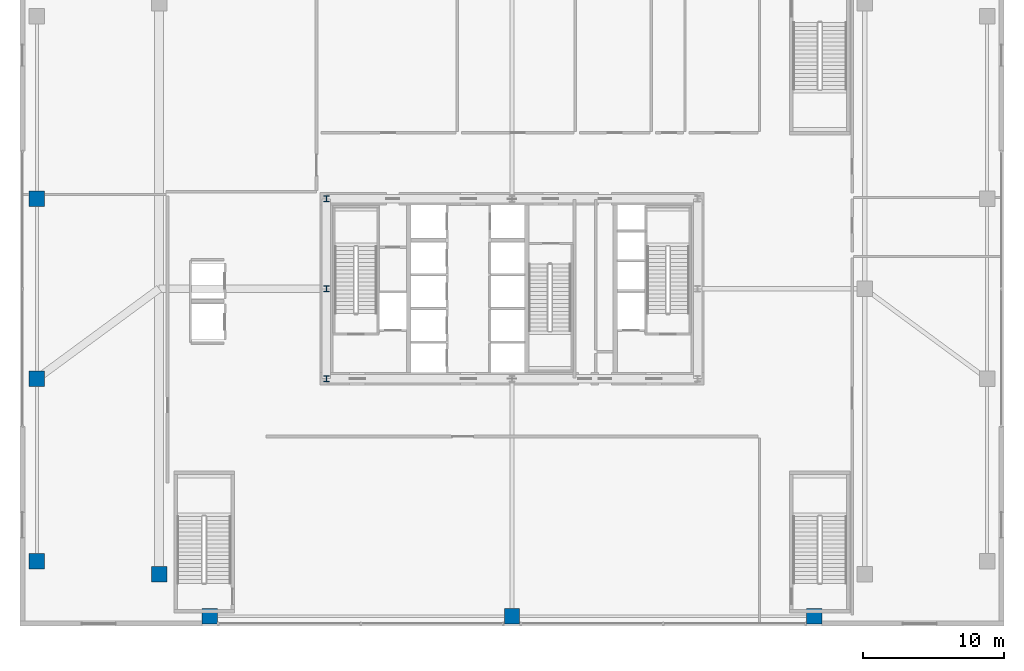
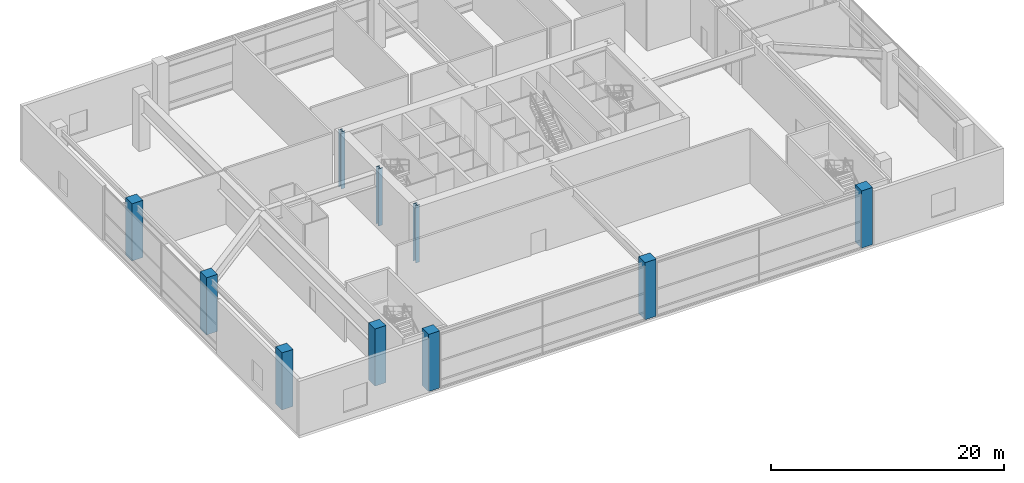
# One storey, part 1 of 39: 10 columns.
"""IFC4 building model written with IfcOpenShell, lengths in metres."""

from ifc_helpers import new_model, si_unit, direction, frame, origin, origin_2d, place, context, subcontext, project, spatial, rectangle, i_section, extrude, source, transform, mapped, material, material_profile, profile_set, type_object, element, save


model = new_model("IFC4")

# Units and contexts
model_context = context("Model", 3, precision=1e-05, world=origin(), true_north=direction((0.0, 1.0)))
body_context = subcontext(model_context, "Body", "Model", "MODEL_VIEW")
ifc_project = project(units=[si_unit("LENGTHUNIT", "METRE"), si_unit("AREAUNIT", "SQUARE_METRE"), si_unit("VOLUMEUNIT", "CUBIC_METRE"), si_unit("PLANEANGLEUNIT", "RADIAN"), si_unit("MASSUNIT", "GRAM", prefix="KILO"), si_unit("THERMODYNAMICTEMPERATUREUNIT", "KELVIN"), si_unit("POWERUNIT", "WATT")], contexts=[model_context])

# Site, building, storey
site_placement = place(None, origin())
site = spatial("IfcSite", under=ifc_project, at=site_placement, CompositionType="ELEMENT")
building_placement = place(site_placement, origin())
building = spatial("IfcBuilding", under=site, at=building_placement, Name="Yuzanri Waterfront Tower", CompositionType="ELEMENT")
storey_placement = place(building_placement, frame((0.0, 0.0, 19.800048828125)))
storey = spatial("IfcBuildingStorey", under=building, at=storey_placement, Name="L05", CompositionType="ELEMENT", Elevation=19.800048828125)

# Columns
ifc_material_1 = material(Name="Steel Q355B", Category="steel")
ifc_material_profile_1 = material_profile(ifc_material_1, i_section(OverallWidth=0.406982421875, OverallDepth=0.427978515625, WebThickness=0.02001953125, FlangeThickness=0.034912109375, at=origin_2d()), Name="HW 428x407x20x35")
ifc_profile_set_1 = profile_set([ifc_material_profile_1], Name="Steel Q355B")
column_type_1 = type_object("IfcColumnType", Name="Core Post Q355B HW 428x407x20x35", PredefinedType="COLUMN", material=ifc_profile_set_1)
shared_shape_1 = source(origin(), body_context, "Body", "SweptSolid", [
    extrude(i_section(OverallWidth=0.406982421875, OverallDepth=0.427978515625, WebThickness=0.02001953125, FlangeThickness=0.034912109375, at=origin_2d()), origin(), (0.0, 0.0, 1.0), 6.0),
])
for number, where, z_axis, x_axis, name in (
    (1, (23.800048828125, 19.39990234375, 0.0), (0.0, 0.0, 1.0), (1.0, 0.0, 0.0), "L05 Core Boundary Column CP1"),
    (2, (23.800048828125, 25.800048828125, 0.0), (0.0, 0.0, 1.0), (1.0, 0.0, 0.0), "L05 Core Boundary Column CP4"),
    (3, (23.800048828125, 32.199951171875, 0.0), (0.0, 0.0, 1.0), (1.0, 0.0, 0.0), "L05 Core Boundary Column CP6"),
):
    element("IfcColumn", number, at=place(storey_placement, frame(where, z_axis=z_axis, x_axis=x_axis)), inside=storey, type_object=column_type_1, Name=name, PredefinedType="COLUMN", context=body_context, shape_type="MappedRepresentation", body=[
        mapped(shared_shape_1, transform((0.0, 0.0, 0.0), scale=1.0)),
    ])
ifc_material_2 = material(Name="Concrete C50", Category="concrete")
ifc_material_profile_2 = material_profile(ifc_material_2, rectangle(XDim=1.10009765625, YDim=1.10009765625, at=origin_2d()), Name="RC 1100x1100")
ifc_profile_set_2 = profile_set([ifc_material_profile_2], Name="Concrete C50")
column_type_2 = type_object("IfcColumnType", Name="Podium RC Column C50 1100x1100", PredefinedType="COLUMN", material=ifc_profile_set_2)
shared_shape_2 = source(origin(), body_context, "Body", "SweptSolid", [
    extrude(rectangle(XDim=1.10009765625, YDim=1.10009765625, at=origin_2d()), origin(), (0.0, 0.0, 1.0), 6.0),
])
for number, where, z_axis, x_axis, name in (
    (4, (3.199951171875, 6.39990234375, 0.0), (0.0, 0.0, 1.0), (1.0, 0.0, 0.0), "L05 Podium Column PW1"),
    (5, (3.199951171875, 19.39990234375, 0.0), (0.0, 0.0, 1.0), (1.0, 0.0, 0.0), "L05 Podium Column PW2"),
    (6, (3.199951171875, 32.199951171875, 0.0), (0.0, 0.0, 1.0), (1.0, 0.0, 0.0), "L05 Podium Column PW3"),
    (7, (11.89990234375, 5.5, 0.0), (0.0, 0.0, 1.0), (1.0, 0.0, 0.0), "L05 Podium Column PTW1"),
    (8, (15.5, 2.5, 0.0), (0.0, 0.0, 1.0), (1.0, 0.0, 0.0), "L05 Podium Column PTS1"),
    (9, (37.0, 2.5, 0.0), (0.0, 0.0, 1.0), (1.0, 0.0, 0.0), "L05 Podium Column PTS2"),
    (10, (58.5, 2.5, 0.0), (0.0, 0.0, 1.0), (1.0, 0.0, 0.0), "L05 Podium Column PTS3"),
):
    element("IfcColumn", number, at=place(storey_placement, frame(where, z_axis=z_axis, x_axis=x_axis)), inside=storey, type_object=column_type_2, Name=name, PredefinedType="COLUMN", context=body_context, shape_type="MappedRepresentation", body=[
        mapped(shared_shape_2, transform((0.0, 0.0, 0.0), scale=1.0)),
    ])

save(model, "model.ifc")
